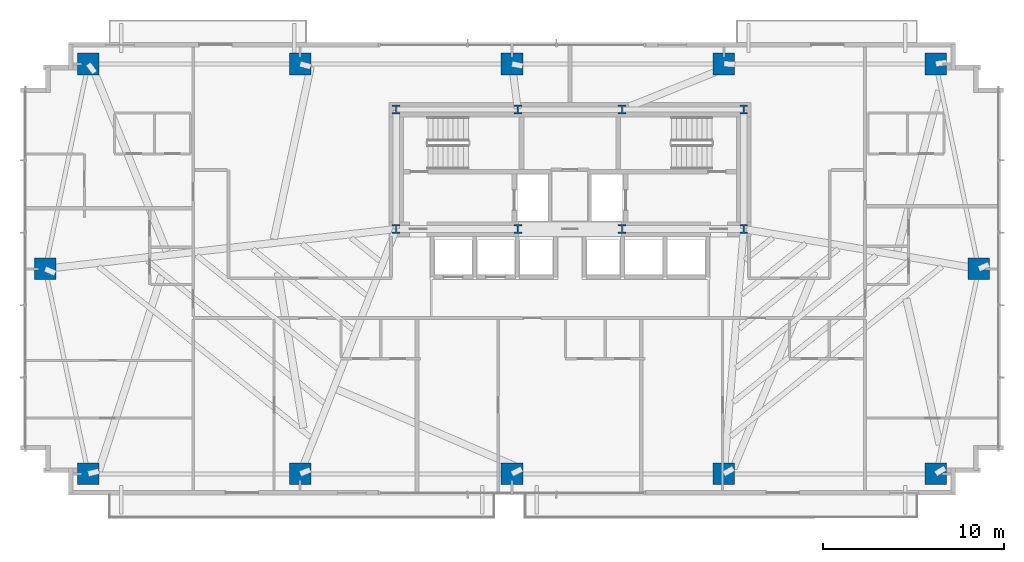
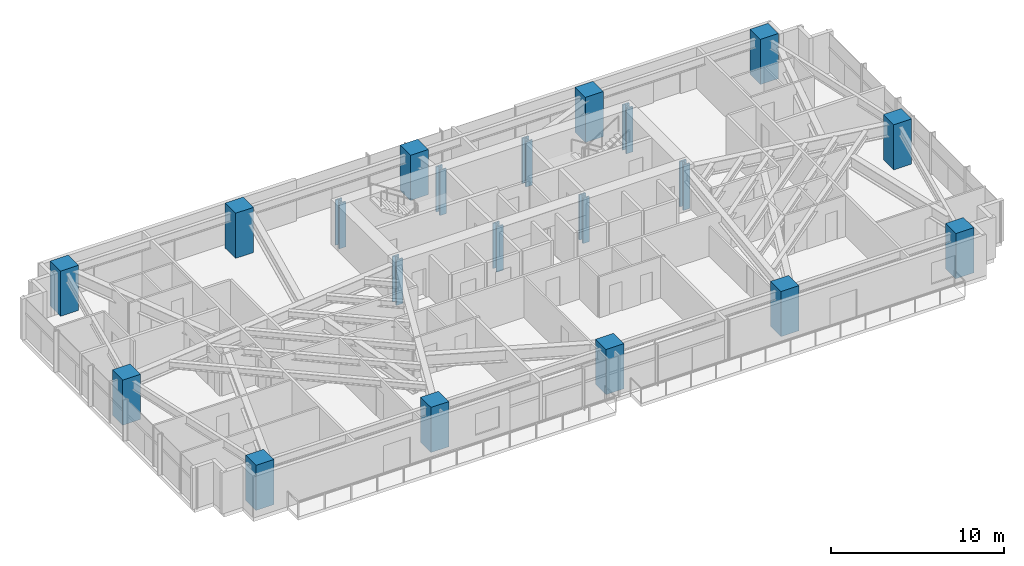
# One storey, part 1 of 25: 20 columns.
"""IFC4 building model written with IfcOpenShell, lengths in metres."""

import ifcopenshell
import ifcopenshell.guid

model = None  # the IFC model being written
_history = None  # IfcOwnerHistory: only IFC2X3 demands one
_inside = {}  # id of a spatial element -> (the spatial element, [elements in it])
_under = {}  # id of a project, library or spatial element -> (it, [spatial elements below it])
_declared = {}  # id of a project -> (the project, [libraries it declares])
_typed = {}  # id of a type object -> (the type object, [elements of that type])
_made_of = {}  # id of a material, layer set ... -> (it, [elements and type objects made of it])


def new_model(schema):
    """Start an empty IFC model of exactly this schema.

    Asked for "IFC4X3", IfcOpenShell would pick the latest addendum, in which some entities
    have other attributes; the version numbers below select the first issue.
    IFC2X3 requires an IfcOwnerHistory on every rooted entity: one is made here for all.
    """
    global model, _history
    if schema == "IFC4X3":
        model = ifcopenshell.file(schema_version=(4, 3, 0, 0))
    else:
        model = ifcopenshell.file(schema=schema)
    _inside.clear()
    _under.clear()
    _declared.clear()
    _typed.clear()
    _made_of.clear()
    _history = None
    if model.schema == "IFC2X3":
        org = make("IfcOrganization", Name="unknown")
        user = make(
            "IfcPersonAndOrganization",
            ThePerson=make("IfcPerson", FamilyName="unknown"),
            TheOrganization=org,
        )
        app = make(
            "IfcApplication",
            ApplicationDeveloper=org,
            Version="unknown",
            ApplicationFullName="unknown",
            ApplicationIdentifier="unknown",
        )
        _history = make(
            "IfcOwnerHistory",
            OwningUser=user,
            OwningApplication=app,
            ChangeAction="ADDED",
            CreationDate=0,
        )
    return model


def make(cls, **values):
    """One entity of the class cls with the attributes given. An attribute that is None is left unset."""
    return model.create_entity(
        cls, **{name: value for name, value in values.items() if value is not None}
    )


def rooted(cls, **values):
    """An entity with a GlobalId (a new one), such as an element, a storey or a relation."""
    return make(cls, GlobalId=ifcopenshell.guid.new(), OwnerHistory=_history, **values)


def si_unit(unit_type, name, prefix=None):
    """IfcSIUnit, for example si_unit("LENGTHUNIT", "METRE", prefix="MILLI")."""
    return make("IfcSIUnit", UnitType=unit_type, Prefix=prefix, Name=name)


def assignment(units):
    """IfcUnitAssignment: the units of a project."""
    return None if units is None else make("IfcUnitAssignment", Units=units)


def point(xyz):
    """IfcCartesianPoint."""
    return None if xyz is None else make("IfcCartesianPoint", Coordinates=xyz)


def direction(xyz):
    """IfcDirection."""
    return None if xyz is None else make("IfcDirection", DirectionRatios=xyz)


def frame(location, z_axis=None, x_axis=None):
    """IfcAxis2Placement3D, a coordinate frame: its origin and axes. An axis left out is left unset."""
    return make(
        "IfcAxis2Placement3D",
        Location=point(location),
        Axis=direction(z_axis),
        RefDirection=direction(x_axis),
    )


def frame_2d(location, x_axis=None):
    """IfcAxis2Placement2D, a coordinate frame in the plane: its origin and x axis."""
    return make(
        "IfcAxis2Placement2D", Location=point(location), RefDirection=direction(x_axis)
    )


def origin():
    """The frame at (0, 0, 0) with its axes left unset."""
    return frame((0.0, 0.0, 0.0))


def origin_2d():
    """The frame at (0, 0) in the plane with its x axis left unset."""
    return frame_2d((0.0, 0.0))


def place(relative_to, where):
    """IfcLocalPlacement: puts the frame where relative to a parent placement (None: the world)."""
    return make(
        "IfcLocalPlacement", PlacementRelTo=relative_to, RelativePlacement=where
    )


def context(
    kind, dimensions, precision=None, world=None, true_north=None, identifier=None
):
    """IfcGeometricRepresentationContext, for example the 3D "Model" context."""
    return make(
        "IfcGeometricRepresentationContext",
        ContextIdentifier=identifier,
        ContextType=kind,
        CoordinateSpaceDimension=dimensions,
        Precision=precision,
        WorldCoordinateSystem=world,
        TrueNorth=true_north,
    )


def subcontext(parent, identifier, kind, view, scale=None):
    """IfcGeometricRepresentationSubContext, for example "Body" below "Model"."""
    return make(
        "IfcGeometricRepresentationSubContext",
        ContextIdentifier=identifier,
        ContextType=kind,
        ParentContext=parent,
        TargetScale=scale,
        TargetView=view,
    )


def project(units=None, contexts=None):
    """IfcProject with its units and contexts."""
    return rooted(
        "IfcProject",
        Name="project",
        RepresentationContexts=contexts,
        UnitsInContext=assignment(units),
    )


def spatial(cls, under=None, at=None, **own):
    """A site, building, storey or space (cls), placed at a placement, below another one or the project."""
    s = rooted(cls, ObjectPlacement=at, **own)
    if under is not None:
        _under.setdefault(under.id(), (under, []))[1].append(s)
    return s


def profile(cls, at=None, kind="AREA", **sizes):
    """A parametric profile (cls). Its sizes go by their IFC names, for example OverallWidth=200.0."""
    return make(cls, ProfileType=kind, Position=at, **sizes)


def rectangle(**sizes):
    """IfcRectangleProfileDef."""
    return profile("IfcRectangleProfileDef", **sizes)


def i_section(**sizes):
    """IfcIShapeProfileDef."""
    return profile("IfcIShapeProfileDef", **sizes)


def extrude(swept, where, along, depth):
    """IfcExtrudedAreaSolid: the profile swept, set in the frame where, extruded along a direction by depth."""
    return make(
        "IfcExtrudedAreaSolid",
        SweptArea=swept,
        Position=where,
        ExtrudedDirection=direction(along),
        Depth=depth,
    )


def shape(context_of_items, identifier, shape_type, items):
    """IfcShapeRepresentation: the items that make up one representation, for example the "Body"."""
    return make(
        "IfcShapeRepresentation",
        ContextOfItems=context_of_items,
        RepresentationIdentifier=identifier,
        RepresentationType=shape_type,
        Items=items,
    )


def source(mapping_origin, context_of_items, identifier, shape_type, items):
    """IfcRepresentationMap: a shape defined once, which mapped items show again and again."""
    return make(
        "IfcRepresentationMap",
        MappingOrigin=mapping_origin,
        MappedRepresentation=shape(context_of_items, identifier, shape_type, items),
    )


def transform(
    local_origin,
    x_axis=None,
    y_axis=None,
    z_axis=None,
    scale=None,
    scale2=None,
    scale3=None,
    uniform=True,
):
    """IfcCartesianTransformationOperator3D, or its non-uniform kind. x_axis, y_axis, z_axis: its Axis1, 2, 3."""
    if uniform:
        return make(
            "IfcCartesianTransformationOperator3D",
            Axis1=direction(x_axis),
            Axis2=direction(y_axis),
            LocalOrigin=point(local_origin),
            Scale=scale,
            Axis3=direction(z_axis),
        )
    return make(
        "IfcCartesianTransformationOperator3DnonUniform",
        Axis1=direction(x_axis),
        Axis2=direction(y_axis),
        LocalOrigin=point(local_origin),
        Scale=scale,
        Axis3=direction(z_axis),
        Scale2=scale2,
        Scale3=scale3,
    )


def mapped(mapping_source, mapping_target):
    """IfcMappedItem: shows the shape of a source again, moved by a transform."""
    return make(
        "IfcMappedItem", MappingSource=mapping_source, MappingTarget=mapping_target
    )


def material(Name=None, Category=None):
    """IfcMaterial."""
    return make("IfcMaterial", Name=Name, Category=Category)


def material_profile(
    of_material, cross_section, Name=None, Category=None, Priority=None
):
    """IfcMaterialProfile: a cross section and its material."""
    return make(
        "IfcMaterialProfile",
        Name=Name,
        Material=of_material,
        Profile=cross_section,
        Priority=Priority,
        Category=Category,
    )


def profile_set(profiles, Name=None, composite=None):
    """IfcMaterialProfileSet."""
    return make(
        "IfcMaterialProfileSet",
        Name=Name,
        MaterialProfiles=profiles,
        CompositeProfile=composite,
    )


def made_of(thing, what):
    """Note that an element or type object is made of a material, layer set ...; save() writes the relation."""
    if what is not None:
        _made_of.setdefault(what.id(), (what, []))[1].append(thing)
    return thing


def type_object(cls, material=None, **own):
    """A type object (cls), such as IfcWallType, which elements share."""
    return made_of(rooted(cls, **own), material)


def type_shapes(of_type, sources):
    """Give a type object the sources (RepresentationMaps) that its elements show as mapped items."""
    of_type.RepresentationMaps = sources


def element(
    cls,
    number,
    at=None,
    inside=None,
    cuts=None,
    type_object=None,
    material=None,
    context=None,
    identifier="Body",
    shape_type=None,
    held_by="IfcProductDefinitionShape",
    body=None,
    shapes=None,
    **own,
):
    """One element of the class cls, such as IfcWall. Its Tag is "e" and its number.

    at: its placement. inside: the storey or other place that contains it. cuts: it is an
    opening in that element (IfcRelVoidsElement). A single representation is given by context,
    identifier, shape_type and body (its items); several are given by shapes. held_by: the class
    of the entity that holds the representations. save() writes the other relations.
    """
    e = rooted(cls, Tag="e%d" % number, ObjectPlacement=at, **own)
    if body is not None:
        shapes = [shape(context, identifier, shape_type, body)]
    if shapes is not None:
        e.Representation = make(held_by, Representations=shapes)
    if inside is not None:
        _inside.setdefault(inside.id(), (inside, []))[1].append(e)
    if cuts is not None:
        rooted(
            "IfcRelVoidsElement", RelatingBuildingElement=cuts, RelatedOpeningElement=e
        )
    if type_object is not None:
        _typed.setdefault(type_object.id(), (type_object, []))[1].append(e)
    return made_of(e, material)


def aggregate(whole, parts):
    """IfcRelAggregates: a whole, such as a stair, and the parts it consists of."""
    return rooted("IfcRelAggregates", RelatingObject=whole, RelatedObjects=parts)


def save(model, path):
    """Write the relations noted so far, then the file.

    IfcRelAggregates (storeys below a building ...), IfcRelContainedInSpatialStructure (elements
    in a storey), IfcRelDefinesByType, IfcRelAssociatesMaterial and IfcRelDeclares: one each for
    every whole, place, type object, material and project.
    """
    for whole, parts in _under.values():
        aggregate(whole, parts)
    for where, things in _inside.values():
        rooted(
            "IfcRelContainedInSpatialStructure",
            RelatedElements=things,
            RelatingStructure=where,
        )
    for kind, things in _typed.values():
        rooted("IfcRelDefinesByType", RelatedObjects=things, RelatingType=kind)
    for what, things in _made_of.values():
        rooted("IfcRelAssociatesMaterial", RelatedObjects=things, RelatingMaterial=what)
    for by, libraries in _declared.values():
        rooted("IfcRelDeclares", RelatingContext=by, RelatedDefinitions=libraries)
    model.write(path)


model = new_model("IFC4")

# Units and contexts
model_context = context("Model", 3, precision=1e-05, world=origin(), true_north=direction((0.0, 1.0)))
body_context = subcontext(model_context, "Body", "Model", "MODEL_VIEW")
ifc_project = project(units=[si_unit("LENGTHUNIT", "METRE"), si_unit("AREAUNIT", "SQUARE_METRE"), si_unit("VOLUMEUNIT", "CUBIC_METRE"), si_unit("PLANEANGLEUNIT", "RADIAN"), si_unit("MASSUNIT", "GRAM", prefix="KILO")], contexts=[model_context])

# Site, building, storey
site_placement = place(None, origin())
site = spatial("IfcSite", under=ifc_project, at=site_placement, CompositionType="ELEMENT")
building_placement = place(site_placement, origin())
building = spatial("IfcBuilding", under=site, at=building_placement, Name="Astriad Promenade Condominiums", CompositionType="ELEMENT")
storey_placement = place(building_placement, frame((0.0, 0.0, 64.60009765625)))
storey = spatial("IfcBuildingStorey", under=building, at=storey_placement, Name="L18", CompositionType="ELEMENT", Elevation=64.60009765625)

# Columns
ifc_material_1 = material(Name="Steel ASTM A992 Grade 50", Category="steel")
ifc_material_profile_1 = material_profile(ifc_material_1, i_section(OverallWidth=0.43701171875, OverallDepth=0.51416015625, WebThickness=0.060546875, FlangeThickness=0.096923828125, FilletRadius=0.017822265625, at=origin_2d()), Name="W14X550")
ifc_profile_set_1 = profile_set([ifc_material_profile_1], Name="Steel ASTM A992 Grade 50")
column_type_1 = type_object("IfcColumnType", Name="STEEL CORE PILASTER W14X550", PredefinedType="PILASTER", material=ifc_profile_set_1)
shared_shape_1 = source(origin(), body_context, "Body", "SweptSolid", [
    extrude(i_section(OverallWidth=0.43701171875, OverallDepth=0.51416015625, WebThickness=0.060546875, FlangeThickness=0.096923828125, FilletRadius=0.017822265625, at=origin_2d()), origin(), (0.0, 0.0, 1.0), 3.196044921875),
])
type_shapes(column_type_1, [shared_shape_1])
for number, where, z_axis, x_axis, name in (
    (1, (26.39990234375, 17.39990234375, 0.001953125), (0.0, 0.0, 1.0), (1.0, 0.0, 0.0), "Core Pilaster Column CP1 (L18)"),
    (2, (33.1201171875, 17.39990234375, 0.001953125), (0.0, 0.0, 1.0), (1.0, 0.0, 0.0), "Core Pilaster Column CP2 (L18)"),
    (3, (38.8798828125, 17.39990234375, 0.001953125), (0.0, 0.0, 1.0), (1.0, 0.0, 0.0), "Core Pilaster Column CP3 (L18)"),
    (4, (45.60009765625, 17.39990234375, 0.001953125), (0.0, 0.0, 1.0), (1.0, 0.0, 0.0), "Core Pilaster Column CP4 (L18)"),
    (5, (26.39990234375, 24.0, 0.001953125), (0.0, 0.0, 1.0), (1.0, 0.0, 0.0), "Core Pilaster Column CP5 (L18)"),
    (6, (33.1201171875, 24.0, 0.001953125), (0.0, 0.0, 1.0), (1.0, 0.0, 0.0), "Core Pilaster Column CP6 (L18)"),
    (7, (38.8798828125, 24.0, 0.001953125), (0.0, 0.0, 1.0), (1.0, 0.0, 0.0), "Core Pilaster Column CP7 (L18)"),
    (8, (45.60009765625, 24.0, 0.001953125), (0.0, 0.0, 1.0), (1.0, 0.0, 0.0), "Core Pilaster Column CP8 (L18)"),
):
    element("IfcColumn", number, at=place(storey_placement, frame(where, z_axis=z_axis, x_axis=x_axis)), inside=storey, type_object=column_type_1, Name=name, PredefinedType="PILASTER", context=body_context, shape_type="MappedRepresentation", body=[
        mapped(shared_shape_1, transform((0.0, 0.0, 0.0), scale=1.0)),
    ])
ifc_material_2 = material(Name="Concrete C80/95", Category="concrete")
ifc_material_profile_2 = material_profile(ifc_material_2, rectangle(XDim=1.199951171875, YDim=1.199951171875, at=origin_2d()), Name="RC-COL-1200X1200")
ifc_profile_set_2 = profile_set([ifc_material_profile_2], Name="Concrete C80/95")
column_type_2 = type_object("IfcColumnType", Name="CONCRETE MEGA COLUMN 1200X1200", PredefinedType="COLUMN", material=ifc_profile_set_2)
shared_shape_2 = source(origin(), body_context, "Body", "SweptSolid", [
    extrude(rectangle(XDim=1.199951171875, YDim=1.199951171875, at=origin_2d()), origin(), (0.0, 0.0, 1.0), 3.19384765625),
])
type_shapes(column_type_2, [shared_shape_2])
for number, where, z_axis, x_axis, name in (
    (9, (9.39990234375, 3.8798828125, 0.001953125), (0.0, 0.0, 1.0), (1.0, 0.0, 0.0), "Perimeter Column PC01 (L18)"),
    (10, (21.10009765625, 3.8798828125, 0.001953125), (0.0, 0.0, 1.0), (1.0, 0.0, 0.0), "Perimeter Column PC02 (L18)"),
    (11, (32.800048828125, 3.8798828125, 0.001953125), (0.0, 0.0, 1.0), (1.0, 0.0, 0.0), "Perimeter Column PC03 (L18)"),
    (12, (44.5, 3.8798828125, 0.001953125), (0.0, 0.0, 1.0), (1.0, 0.0, 0.0), "Perimeter Column PC04 (L18)"),
    (13, (56.199951171875, 3.8798828125, 0.001953125), (0.0, 0.0, 1.0), (1.0, 0.0, 0.0), "Perimeter Column PC05 (L18)"),
    (14, (9.39990234375, 26.52001953125, 0.001953125), (0.0, 0.0, 1.0), (1.0, 0.0, 0.0), "Perimeter Column PC06 (L18)"),
    (15, (21.10009765625, 26.52001953125, 0.001953125), (0.0, 0.0, 1.0), (1.0, 0.0, 0.0), "Perimeter Column PC07 (L18)"),
    (16, (32.800048828125, 26.52001953125, 0.001953125), (0.0, 0.0, 1.0), (1.0, 0.0, 0.0), "Perimeter Column PC08 (L18)"),
    (17, (44.5, 26.52001953125, 0.001953125), (0.0, 0.0, 1.0), (1.0, 0.0, 0.0), "Perimeter Column PC09 (L18)"),
    (18, (56.199951171875, 26.52001953125, 0.001953125), (0.0, 0.0, 1.0), (1.0, 0.0, 0.0), "Perimeter Column PC10 (L18)"),
    (19, (7.02001953125, 15.199951171875, 0.001953125), (0.0, 0.0, 1.0), (1.0, 0.0, 0.0), "Perimeter Column PC11 (L18)"),
    (20, (58.580078125, 15.199951171875, 0.001953125), (0.0, 0.0, 1.0), (1.0, 0.0, 0.0), "Perimeter Column PC12 (L18)"),
):
    element("IfcColumn", number, at=place(storey_placement, frame(where, z_axis=z_axis, x_axis=x_axis)), inside=storey, type_object=column_type_2, Name=name, PredefinedType="COLUMN", context=body_context, shape_type="MappedRepresentation", body=[
        mapped(shared_shape_2, transform((0.0, 0.0, 0.0), scale=1.0)),
    ])

save(model, "model.ifc")
